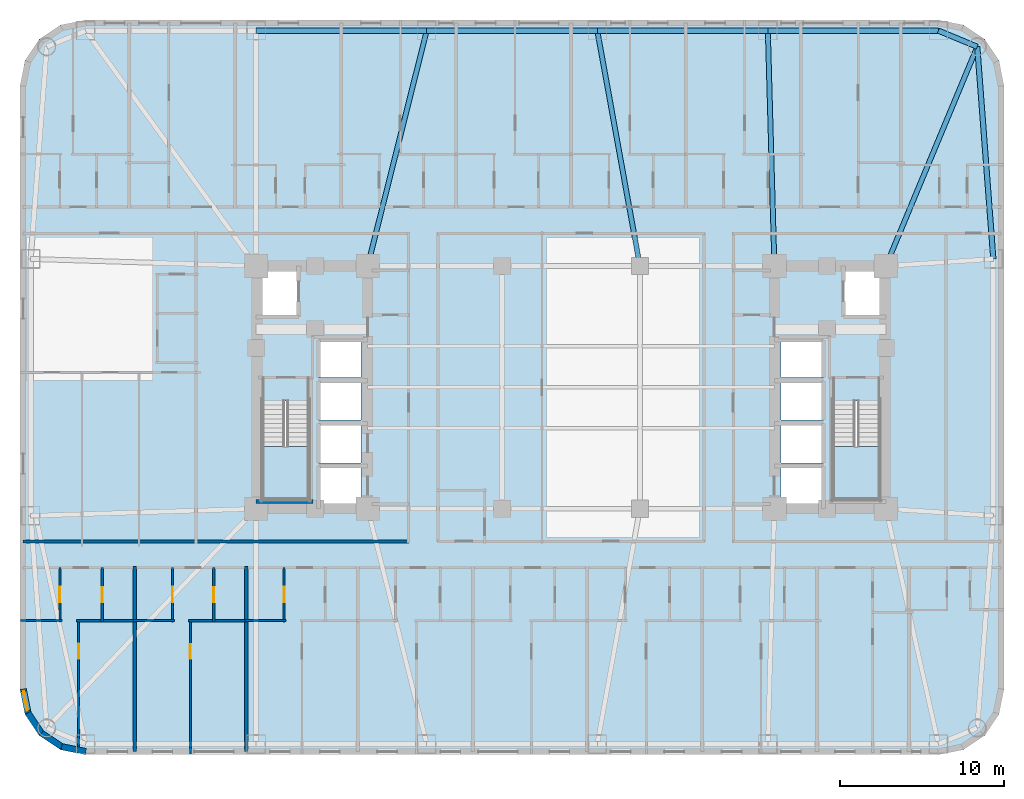
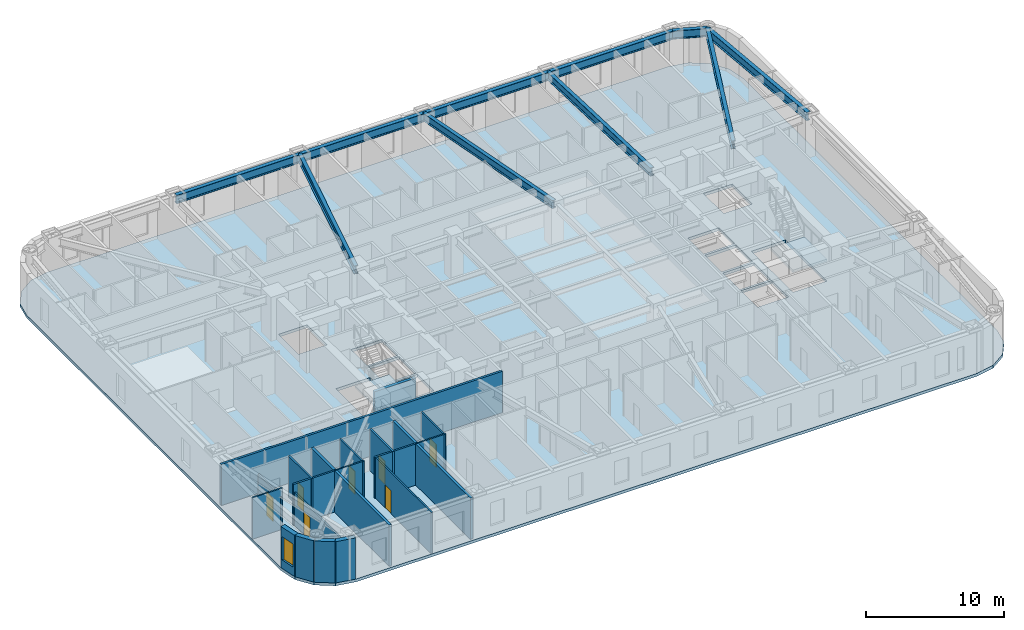
# One storey, part 2 of 12: 20 walls, 10 beams, 7 doors, 3 slabs, 1 window, 8 openings, 2 elements without a shape of their own.
"""IFC4 building model written with IfcOpenShell, lengths in metres."""

from ifc_helpers import new_model, si_unit, direction, frame, frame_2d, origin, origin_2d, place, context, subcontext, project, spatial, polyline, rectangle, i_section, outline, extrude, material, layer, layer_set, material_profile, profile_set, type_object, element, fill, aggregate, save


model = new_model("IFC4")

# Units and contexts
model_context = context("Model", 3, precision=1e-05, world=origin(), true_north=direction((0.0, 1.0)))
body_context = subcontext(model_context, "Body", "Model", "MODEL_VIEW")
ifc_project = project(units=[si_unit("LENGTHUNIT", "METRE"), si_unit("AREAUNIT", "SQUARE_METRE"), si_unit("VOLUMEUNIT", "CUBIC_METRE"), si_unit("PLANEANGLEUNIT", "RADIAN"), si_unit("MASSUNIT", "GRAM", prefix="KILO")], contexts=[model_context])

# Site, building, storey
site_placement = place(None, origin())
site = spatial("IfcSite", under=ifc_project, at=site_placement, CompositionType="ELEMENT")
building_placement = place(site_placement, origin())
building = spatial("IfcBuilding", under=site, at=building_placement, Name="Voryun Gate Residences", CompositionType="ELEMENT")
storey_placement = place(building_placement, frame((0.0, 0.0, 65.0)))
storey = spatial("IfcBuildingStorey", under=building, at=storey_placement, Name="L15", CompositionType="ELEMENT", Elevation=65.0)

# Beams
ifc_material_1 = material(Name="Steel SM355", Category="steel")
ifc_material_profile_1 = material_profile(ifc_material_1, i_section(OverallWidth=0.320068359375, OverallDepth=0.75, WebThickness=0.01611328125, FlangeThickness=0.028076171875, FilletRadius=0.01806640625, at=origin_2d()), Name="H-750x320x16x28")
ifc_profile_set_1 = profile_set([ifc_material_profile_1], Name="Steel SM355")
beam_type_1 = type_object("IfcBeamType", Name="BM_EXO_SPANDREL_L", PredefinedType="SPANDREL", material=ifc_profile_set_1)
beam_1_placement = place(storey_placement, frame((25.75, 7.830078125, 3.27490234375), z_axis=(-0.075617360159, 0.997136908776, 0.0), x_axis=(-0.997136908776, -0.075617360159, 0.0)))
element("IfcBeam", 1, at=beam_1_placement, inside=storey, type_object=beam_type_1, Name="BM-L15-SPAND-09", PredefinedType="SPANDREL", context=body_context, shape_type="SweptSolid", body=[
    extrude(i_section(OverallWidth=0.320068359375, OverallDepth=0.75, WebThickness=0.01611328125, FlangeThickness=0.028076171875, FilletRadius=0.01806640625, at=origin_2d()), origin(), (0.0, 0.0, 1.0), 12.975830078125),
])
beam_2_placement = place(storey_placement, frame((24.768798828125, 20.768798828125, 3.27490234375), z_axis=(-0.923883376753, 0.382674151414, 0.0), x_axis=(-0.382674151414, -0.923883376753, 0.0)))
element("IfcBeam", 2, at=beam_2_placement, inside=storey, type_object=beam_type_1, Name="BM-L15-SPAND-10", PredefinedType="SPANDREL", context=body_context, shape_type="SweptSolid", body=[
    extrude(i_section(OverallWidth=0.320068359375, OverallDepth=0.75, WebThickness=0.01611328125, FlangeThickness=0.028076171875, FilletRadius=0.01806640625, at=origin_2d()), origin(), (0.0, 0.0, 1.0), 2.56396484375),
])
for number, where, z_axis, x_axis, name in (
    (3, (22.39990234375, 21.75, 3.27490234375), (-1.0, 0.0, 0.0), (0.0, -1.0, 0.0), "BM-L15-SPAND-11"),
    (4, (12.0, 21.75, 3.27490234375), (-1.0, 0.0, 0.0), (0.0, -1.0, 0.0), "BM-L15-SPAND-12"),
):
    element("IfcBeam", number, at=place(storey_placement, frame(where, z_axis=z_axis, x_axis=x_axis)), inside=storey, type_object=beam_type_1, Name=name, PredefinedType="SPANDREL", context=body_context, shape_type="SweptSolid", body=[
        extrude(i_section(OverallWidth=0.320068359375, OverallDepth=0.75, WebThickness=0.01611328125, FlangeThickness=0.028076171875, FilletRadius=0.01806640625, at=origin_2d()), origin(), (0.0, 0.0, 1.0), 10.39990234375),
    ])
beam_3_placement = place(storey_placement, frame((1.60009765625, 21.75, 3.27490234375), z_axis=(-1.0, 0.0, 0.0), x_axis=(0.0, -1.0, 0.0)))
element("IfcBeam", 5, at=beam_3_placement, inside=storey, type_object=beam_type_1, Name="BM-L15-SPAND-13", PredefinedType="SPANDREL", context=body_context, shape_type="SweptSolid", body=[
    extrude(i_section(OverallWidth=0.320068359375, OverallDepth=0.75, WebThickness=0.01611328125, FlangeThickness=0.028076171875, FilletRadius=0.01806640625, at=origin_2d()), origin(), (0.0, 0.0, 1.0), 10.400146484375),
])
beam_4_placement = place(storey_placement, frame((-8.800048828125, 21.75, 3.27490234375), z_axis=(-1.0, 0.0, 0.0), x_axis=(0.0, -1.0, 0.0)))
element("IfcBeam", 6, at=beam_4_placement, inside=storey, type_object=beam_type_1, Name="BM-L15-SPAND-14", PredefinedType="SPANDREL", context=body_context, shape_type="SweptSolid", body=[
    extrude(i_section(OverallWidth=0.320068359375, OverallDepth=0.75, WebThickness=0.01611328125, FlangeThickness=0.028076171875, FilletRadius=0.01806640625, at=origin_2d()), origin(), (0.0, 0.0, 1.0), 10.39990234375),
])
ifc_material_2 = material(Name="Steel SM355", Category="steel")
ifc_material_profile_2 = material_profile(ifc_material_2, i_section(OverallWidth=0.300048828125, OverallDepth=0.699951171875, WebThickness=0.012939453125, FlangeThickness=0.02392578125, FilletRadius=0.01806640625, at=origin_2d()), Name="H-700x300x13x24")
ifc_profile_set_2 = profile_set([ifc_material_profile_2], Name="Steel SM355")
beam_type_2 = type_object("IfcBeamType", Name="BM_GIRD_700", PredefinedType="USERDEFINED", material=ifc_profile_set_2)
beam_5_placement = place(storey_placement, frame((19.199951171875, 7.39990234375, 3.300048828125), z_axis=(0.384525607719, 0.923114324993, 0.0), x_axis=(-0.923114324993, 0.384525607719, 0.0)))
element("IfcBeam", 7, at=beam_5_placement, inside=storey, type_object=beam_type_2, Name="BM-L15-RAD-CNE", ObjectType="GIRDER", PredefinedType="USERDEFINED", context=body_context, shape_type="SweptSolid", body=[
    extrude(i_section(OverallWidth=0.300048828125, OverallDepth=0.699951171875, WebThickness=0.012939453125, FlangeThickness=0.02392578125, FilletRadius=0.01806640625, at=origin_2d()), origin(), (0.0, 0.0, 1.0), 14.482421875),
])
beam_6_placement = place(storey_placement, frame((12.39990234375, 7.39990234375, 3.300048828125), z_axis=(-0.0278567548, 0.999611925305, 0.0), x_axis=(-0.999611925305, -0.0278567548, 0.0)))
element("IfcBeam", 8, at=beam_6_placement, inside=storey, type_object=beam_type_2, Name="BM-L15-RAD-N2", ObjectType="GIRDER", PredefinedType="USERDEFINED", context=body_context, shape_type="SweptSolid", body=[
    extrude(i_section(OverallWidth=0.300048828125, OverallDepth=0.699951171875, WebThickness=0.012939453125, FlangeThickness=0.02392578125, FilletRadius=0.01806640625, at=origin_2d()), origin(), (0.0, 0.0, 1.0), 14.355712890625),
])
beam_7_placement = place(storey_placement, frame((4.199951171875, 7.39990234375, 3.300048828125), z_axis=(-0.178271088758, 0.983981411874, 0.0), x_axis=(-0.983981411874, -0.178271088758, 0.0)))
element("IfcBeam", 9, at=beam_7_placement, inside=storey, type_object=beam_type_2, Name="BM-L15-RAD-N3", ObjectType="GIRDER", PredefinedType="USERDEFINED", context=body_context, shape_type="SweptSolid", body=[
    extrude(i_section(OverallWidth=0.300048828125, OverallDepth=0.699951171875, WebThickness=0.012939453125, FlangeThickness=0.02392578125, FilletRadius=0.01806640625, at=origin_2d()), origin(), (0.0, 0.0, 1.0), 14.583740234375),
])
beam_8_placement = place(storey_placement, frame((-12.39990234375, 7.39990234375, 3.300048828125), z_axis=(0.243319869291, 0.969946102218, 0.0), x_axis=(-0.969946102218, 0.243319869291, 0.0)))
element("IfcBeam", 10, at=beam_8_placement, inside=storey, type_object=beam_type_2, Name="BM-L15-RAD-N4", ObjectType="GIRDER", PredefinedType="USERDEFINED", context=body_context, shape_type="SweptSolid", body=[
    extrude(i_section(OverallWidth=0.300048828125, OverallDepth=0.699951171875, WebThickness=0.012939453125, FlangeThickness=0.02392578125, FilletRadius=0.01806640625, at=origin_2d()), origin(), (0.0, 0.0, 1.0), 14.794677734375),
])

# Slab
ifc_material_3 = material(Name="Concrete C40/50", Category="concrete")
ifc_layer_1 = layer(ifc_material_3, 0.25, Name="SLB_RES_250")
ifc_layer_set_1 = layer_set([ifc_layer_1], Name="Concrete C40/50")
slab_type_1 = type_object("IfcSlabType", Name="SLB_RES_250", PredefinedType="FLOOR", material=ifc_layer_set_1)
slab_1_placement = place(storey_placement, frame((0.0, 0.0, -0.25)))
element("IfcSlab", 11, at=slab_1_placement, inside=storey, type_object=slab_type_1, Name="L15 Structural Floor Slab", PredefinedType="FLOOR", context=body_context, shape_type="SweptSolid", body=[
    extrude(outline(polyline([(-29.60009765625, -22.39990234375), (-31.130615234375, -22.095458984375), (-32.428466796875, -21.228515625), (-33.29541015625, -19.9306640625), (-33.60009765625, -18.39990234375), (-33.60009765625, 18.39990234375), (-33.29541015625, 19.9306640625), (-32.428466796875, 21.228515625), (-31.130615234375, 22.095458984375), (-29.60009765625, 22.39990234375), (22.39990234375, 22.39990234375), (23.9306640625, 22.095458984375), (25.228515625, 21.228515625), (26.095458984375, 19.9306640625), (26.39990234375, 18.39990234375), (26.39990234375, -18.39990234375), (26.095458984375, -19.9306640625), (25.228515625, -21.228515625), (23.9306640625, -22.095458984375), (22.39990234375, -22.39990234375), (-29.60009765625, -22.39990234375)]), holes=[polyline([(-12.800048828125, -4.800048828125), (-15.39990234375, -4.800048828125), (-15.39990234375, -7.199951171875), (-12.800048828125, -7.199951171875), (-12.800048828125, -4.800048828125)]), polyline([(-18.824951171875, -6.85009765625), (-15.97509765625, -6.85009765625), (-15.97509765625, -0.840087890625), (-18.824951171875, -0.840087890625), (-18.824951171875, -6.85009765625)]), polyline([(-12.800048828125, -4.60009765625), (-12.800048828125, -2.199951171875), (-15.39990234375, -2.199951171875), (-15.39990234375, -4.60009765625), (-12.800048828125, -4.60009765625)]), polyline([(-12.800048828125, 0.39990234375), (-15.39990234375, 0.39990234375), (-15.39990234375, -2.0), (-12.800048828125, -2.0), (-12.800048828125, 0.39990234375)]), polyline([(-12.800048828125, 0.60009765625), (-12.800048828125, 2.89990234375), (-15.39990234375, 2.89990234375), (-15.39990234375, 0.60009765625), (-12.800048828125, 0.60009765625)]), polyline([(-16.60009765625, 4.300048828125), (-16.60009765625, 7.199951171875), (-19.0, 7.199951171875), (-19.0, 4.300048828125), (-16.60009765625, 4.300048828125)]), polyline([(15.39990234375, -4.800048828125), (12.800048828125, -4.800048828125), (12.800048828125, -7.199951171875), (15.39990234375, -7.199951171875), (15.39990234375, -4.800048828125)]), polyline([(15.97509765625, -6.85009765625), (18.824951171875, -6.85009765625), (18.824951171875, -0.840087890625), (15.97509765625, -0.840087890625), (15.97509765625, -6.85009765625)]), polyline([(15.39990234375, -4.60009765625), (15.39990234375, -2.199951171875), (12.800048828125, -2.199951171875), (12.800048828125, -4.60009765625), (15.39990234375, -4.60009765625)]), polyline([(15.39990234375, 0.39990234375), (12.800048828125, 0.39990234375), (12.800048828125, -2.0), (15.39990234375, -2.0), (15.39990234375, 0.39990234375)]), polyline([(15.39990234375, 0.60009765625), (15.39990234375, 2.89990234375), (12.800048828125, 2.89990234375), (12.800048828125, 0.60009765625), (15.39990234375, 0.60009765625)]), polyline([(19.0, 4.300048828125), (19.0, 7.199951171875), (16.60009765625, 7.199951171875), (16.60009765625, 4.300048828125), (19.0, 4.300048828125)])]), origin(), (0.0, 0.0, 1.0), 0.25),
])

# Stair, slab
ifc_material_4 = material(Name="Concrete C40/50", Category="concrete")
stair_type = type_object("IfcStairType", Name="STR_CORE_DOGLEG_1350", PredefinedType="HALF_TURN_STAIR", material=ifc_material_4)
stair_1_placement = place(storey_placement, origin())
stair_1 = element("IfcStair", 12, at=stair_1_placement, inside=storey, type_object=stair_type, Name="L15 Special Escape Stair ST-W1", PredefinedType="HALF_TURN_STAIR")
ifc_material_5 = material(Name="Concrete C40/50", Category="concrete")
ifc_layer_2 = layer(ifc_material_5, 0.199951171875, Name="SLB_STAIR_LANDING_200")
ifc_layer_set_2 = layer_set([ifc_layer_2], Name="Concrete C40/50")
slab_type_2 = type_object("IfcSlabType", Name="SLB_STAIR_LANDING_200", PredefinedType="LANDING", material=ifc_layer_set_2)
slab_2_placement = place(storey_placement, frame((0.0, 0.0, 1.75)))
slab_2 = element("IfcSlab", 13, at=slab_2_placement, type_object=slab_type_2, Name="ST-W1 landing 1", PredefinedType="LANDING", context=body_context, shape_type="SweptSolid", body=[
    extrude(outline(polyline([(-18.824951171875, -3.60009765625), (-18.824951171875, -6.85009765625), (-15.97509765625, -6.85009765625), (-15.97509765625, -3.60009765625), (-18.824951171875, -3.60009765625)])), origin(), (0.0, 0.0, 1.0), 0.199951171875),
])
aggregate(stair_1, [slab_2])

stair_2_placement = place(storey_placement, origin())
stair_2 = element("IfcStair", 14, at=stair_2_placement, inside=storey, type_object=stair_type, Name="L15 Special Escape Stair ST-E1", PredefinedType="HALF_TURN_STAIR")
slab_3_placement = place(storey_placement, frame((0.0, 0.0, 1.75)))
slab_3 = element("IfcSlab", 15, at=slab_3_placement, type_object=slab_type_2, Name="ST-E1 landing 1", PredefinedType="LANDING", context=body_context, shape_type="SweptSolid", body=[
    extrude(outline(polyline([(15.97509765625, -3.60009765625), (15.97509765625, -6.85009765625), (18.824951171875, -6.85009765625), (18.824951171875, -3.60009765625), (15.97509765625, -3.60009765625)])), origin(), (0.0, 0.0, 1.0), 0.199951171875),
])
aggregate(stair_2, [slab_3])

# Walls
ifc_material_6 = material(Name="Gypsum acoustic fireboard")
ifc_layer_3 = layer(ifc_material_6, 0.179931640625, Name="W_CORR_RATED_180")
ifc_layer_set_3 = layer_set([ifc_layer_3], Name="Gypsum acoustic fireboard")
wall_type_1 = type_object("IfcWallType", Name="W_CORR_RATED_180", PredefinedType="PARTITIONING", material=ifc_layer_set_3)
wall_1_placement = place(storey_placement, frame((-33.409912109375, -9.389892578125, 0.0), z_axis=(0.0, 0.0, 1.0), x_axis=(1.0, 0.0, 0.0)))
element("IfcWall", 16, at=wall_1_placement, inside=storey, type_object=wall_type_1, Name="Partition wall WP-L15-CWING-WS", PredefinedType="PARTITIONING", context=body_context, shape_type="SweptSolid", body=[
    extrude(rectangle(XDim=23.530029296875, YDim=0.179931640625, at=frame_2d((11.76513671875, 0.0))), origin(), (0.0, 0.0, 1.0), 3.64990234375),
])
ifc_material_7 = material(Name="Granite masonry", Category="masonry")
ifc_layer_4 = layer(ifc_material_7, 0.3798828125, Name="W_EXT_GRANITE_380")
ifc_layer_set_4 = layer_set([ifc_layer_4], Name="Granite masonry")
wall_type_2 = type_object("IfcWallType", Name="W_EXT_GRANITE_380", PredefinedType="ELEMENTEDWALL", material=ifc_layer_set_4)
wall_2_placement = place(storey_placement, frame((-29.581298828125, -22.2099609375, 0.0), z_axis=(0.0, 0.0, 1.0), x_axis=(-0.980786132421, 0.195086038585, 0.0)))
element("IfcWall", 17, at=wall_2_placement, inside=storey, type_object=wall_type_2, Name="Exterior wall WEXT-L15-02", PredefinedType="ELEMENTEDWALL", context=body_context, shape_type="SweptSolid", body=[
    extrude(rectangle(XDim=1.504150390625, YDim=0.3798828125, at=frame_2d((0.751953125, 0.0))), origin(), (0.0, 0.0, 1.0), 3.64990234375),
])
wall_3_placement = place(storey_placement, frame((-31.056640625, -21.91650390625, 0.0), z_axis=(0.0, 0.0, 1.0), x_axis=(-0.831442848281, 0.555610286119, 0.0)))
element("IfcWall", 18, at=wall_3_placement, inside=storey, type_object=wall_type_2, Name="Exterior wall WEXT-L15-03", PredefinedType="ELEMENTEDWALL", context=body_context, shape_type="SweptSolid", body=[
    extrude(rectangle(XDim=1.485107421875, YDim=0.3798828125, at=frame_2d((0.74267578125, 0.0))), origin(), (0.0, 0.0, 1.0), 3.64990234375),
])
wall_4_placement = place(storey_placement, frame((-32.29150390625, -21.09130859375, 0.0), z_axis=(0.0, 0.0, 1.0), x_axis=(-0.555572577804, 0.831468045563, 0.0)))
element("IfcWall", 19, at=wall_4_placement, inside=storey, type_object=wall_type_2, Name="Exterior wall WEXT-L15-04", PredefinedType="ELEMENTEDWALL", context=body_context, shape_type="SweptSolid", body=[
    extrude(rectangle(XDim=1.48486328125, YDim=0.3798828125, at=frame_2d((0.742431640625, 0.0))), origin(), (0.0, 0.0, 1.0), 3.64990234375),
])

# Wall, opening, window
wall_5_placement = place(storey_placement, frame((-33.116455078125, -19.856689453125, 0.0), z_axis=(0.0, 0.0, 1.0), x_axis=(-0.195086038585, 0.980786132421, 0.0)))
wall_5 = element("IfcWall", 20, at=wall_5_placement, inside=storey, type_object=wall_type_2, Name="Exterior wall WEXT-L15-05", PredefinedType="ELEMENTEDWALL", context=body_context, shape_type="SweptSolid", body=[
    extrude(rectangle(XDim=1.504150390625, YDim=0.3798828125, at=frame_2d((0.751953125, 0.0))), origin(), (0.0, 0.0, 1.0), 3.64990234375),
])
opening_1_placement = place(wall_5_placement, frame((0.152099609375, 0.0, 0.75)))
opening_1 = element("IfcOpeningElement", 21, at=opening_1_placement, cuts=wall_5, Name="Opening WN6", PredefinedType="OPENING", context=body_context, shape_type="SweptSolid", body=[
    extrude(rectangle(XDim=1.199951171875, YDim=2.050048828125, at=frame_2d((0.60009765625, 1.02490234375))), frame((0.0, 0.199951171875, 0.0), z_axis=(0.0, -1.0, 0.0), x_axis=(1.0, 0.0, 0.0)), (0.0, 0.0, 1.0), 0.39990234375),
])
ifc_material_8 = material(Name="Laminated low-E glass", Category="glass")
window_type = type_object("IfcWindowType", Name="WN_POD_SLOT_1200", PartitioningType="SINGLE_PANEL", PredefinedType="WINDOW", material=ifc_material_8)
window_placement = place(opening_1_placement, origin())
window = element("IfcWindow", 22, at=window_placement, inside=storey, type_object=window_type, Name="Window WN-L15-DWFIX-14", OverallHeight=2.050048828125, OverallWidth=1.199951171875, PartitioningType="SINGLE_PANEL", PredefinedType="WINDOW", context=body_context, shape_type="SweptSolid", body=[
    extrude(rectangle(XDim=1.199951171875, YDim=2.050048828125, at=frame_2d((0.60009765625, 1.02490234375))), frame((0.0, 0.030029296875, 0.0), z_axis=(0.0, -1.0, 0.0), x_axis=(1.0, 0.0, 0.0)), (0.0, 0.0, 1.0), 0.06005859375),
])
fill(opening_1, window)

# Walls
ifc_material_9 = material(Name="Concrete C40/50", Category="concrete")
ifc_layer_5 = layer(ifc_material_9, 0.219970703125, Name="W_PARTY_ACOUSTIC_220")
ifc_layer_set_5 = layer_set([ifc_layer_5], Name="Concrete C40/50")
wall_type_3 = type_object("IfcWallType", Name="W_PARTY_ACOUSTIC_220", PredefinedType="PARTITIONING", material=ifc_layer_set_5)
for number, where, z_axis, x_axis, name in (
    (23, (-26.612060546875, -22.2099609375, 0.0), (0.0, 0.0, 1.0), (0.0, 1.0, 0.0), "Partition wall WP-L15-SPTY-1"),
    (24, (-19.805908203125, -22.2099609375, 0.0), (0.0, 0.0, 1.0), (0.0, 1.0, 0.0), "Partition wall WP-L15-SPTY-2"),
):
    element("IfcWall", number, at=place(storey_placement, frame(where, z_axis=z_axis, x_axis=x_axis)), inside=storey, type_object=wall_type_3, Name=name, PredefinedType="PARTITIONING", context=body_context, shape_type="SweptSolid", body=[
        extrude(rectangle(XDim=11.2900390625, YDim=0.219970703125, at=frame_2d((5.64501953125, 0.0))), origin(), (0.0, 0.0, 1.0), 3.64990234375),
    ])
ifc_material_10 = material(Name="Concrete C50/60", Category="concrete")
ifc_layer_6 = layer(ifc_material_10, 0.25, Name="W_SHAFT_RC250")
ifc_layer_set_6 = layer_set([ifc_layer_6], Name="Concrete C50/60")
wall_type_4 = type_object("IfcWallType", Name="W_SHAFT_RC250", PredefinedType="SOLIDWALL", material=ifc_layer_set_6)
wall_6_placement = place(storey_placement, frame((-19.199951171875, -6.965087890625, 0.0), z_axis=(0.0, 0.0, 1.0), x_axis=(1.0, 0.0, 0.0)))
element("IfcWall", 25, at=wall_6_placement, inside=storey, type_object=wall_type_4, Name="L15 Stair shaft structural wall W-STS", PredefinedType="SOLIDWALL", context=body_context, shape_type="SweptSolid", body=[
    extrude(rectangle(XDim=3.4599609375, YDim=0.25, at=frame_2d((1.72998046875, 0.0))), origin(), (0.0, 0.0, 1.0), 3.64990234375),
])

# Wall, opening, door
ifc_material_11 = material(Name="Gypsum acoustic partition")
ifc_layer_7 = layer(ifc_material_11, 0.125, Name="W_UNIT_PART_125")
ifc_layer_set_7 = layer_set([ifc_layer_7], Name="Gypsum acoustic partition")
wall_type_5 = type_object("IfcWallType", Name="W_UNIT_PART_125", PredefinedType="PARTITIONING", material=ifc_layer_set_7)
wall_7_placement = place(storey_placement, frame((-30.02197265625, -22.275390625, 0.0), z_axis=(0.0, 0.0, 1.0), x_axis=(0.0, 1.0, 0.0)))
wall_7 = element("IfcWall", 26, at=wall_7_placement, inside=storey, type_object=wall_type_5, Name="Partition wall WP-L15-S1-OVR", PredefinedType="PARTITIONING", context=body_context, shape_type="SweptSolid", body=[
    extrude(rectangle(XDim=8.135498046875, YDim=0.125, at=frame_2d((4.06787109375, 0.0))), origin(), (0.0, 0.0, 1.0), 2.93994140625),
])
opening_2_placement = place(wall_7_placement, frame((5.73291015625, 0.0, 0.0)))
opening_2 = element("IfcOpeningElement", 27, at=opening_2_placement, cuts=wall_7, Name="Opening D-INT-2", PredefinedType="OPENING", context=body_context, shape_type="SweptSolid", body=[
    extrude(rectangle(XDim=0.89990234375, YDim=2.050048828125, at=frame_2d((0.449951171875, 1.02490234375))), frame((0.0, 0.072509765625, 0.0), z_axis=(0.0, -1.0, 0.0), x_axis=(1.0, 0.0, 0.0)), (0.0, 0.0, 1.0), 0.14501953125),
])
ifc_material_12 = material(Name="Architectural oak veneer")
door_type_1 = type_object("IfcDoorType", Name="DR_INT_BATH_900", OperationType="NOTDEFINED", PredefinedType="DOOR", material=ifc_material_12)
door_1_placement = place(opening_2_placement, origin())
door_1 = element("IfcDoor", 28, at=door_1_placement, inside=storey, type_object=door_type_1, Name="Door DR-L15-S1-DMB", OperationType="SINGLE_SWING_RIGHT", OverallHeight=2.050048828125, OverallWidth=0.89990234375, PredefinedType="DOOR", context=body_context, shape_type="SweptSolid", body=[
    extrude(rectangle(XDim=0.89990234375, YDim=2.050048828125, at=frame_2d((0.449951171875, 1.02490234375))), frame((0.0, 0.02490234375, 0.0), z_axis=(0.0, -1.0, 0.0), x_axis=(1.0, 0.0, 0.0)), (0.0, 0.0, 1.0), 0.050048828125),
])
fill(opening_2, door_1)

wall_8_placement = place(storey_placement, frame((-31.16796875, -14.300048828125, 0.0), z_axis=(0.0, 0.0, 1.0), x_axis=(0.0, 1.0, 0.0)))
wall_8 = element("IfcWall", 29, at=wall_8_placement, inside=storey, type_object=wall_type_5, Name="Partition wall WP-L15-S1-IVK", PredefinedType="PARTITIONING", context=body_context, shape_type="SweptSolid", body=[
    extrude(rectangle(XDim=3.320068359375, YDim=0.125, at=frame_2d((1.66015625, 0.0))), origin(), (0.0, 0.0, 1.0), 2.93994140625),
])
opening_3_placement = place(wall_8_placement, frame((1.18505859375, 0.0, 0.0)))
opening_3 = element("IfcOpeningElement", 30, at=opening_3_placement, cuts=wall_8, Name="Opening D-INT-1", PredefinedType="OPENING", context=body_context, shape_type="SweptSolid", body=[
    extrude(rectangle(XDim=0.949951171875, YDim=2.050048828125, at=frame_2d((0.47509765625, 1.02490234375))), frame((0.0, 0.072509765625, 0.0), z_axis=(0.0, -1.0, 0.0), x_axis=(1.0, 0.0, 0.0)), (0.0, 0.0, 1.0), 0.14501953125),
])
ifc_material_13 = material(Name="Architectural oak veneer")
door_type_2 = type_object("IfcDoorType", Name="DR_INT_ROOM_950", OperationType="NOTDEFINED", PredefinedType="DOOR", material=ifc_material_13)
door_2_placement = place(opening_3_placement, origin())
door_2 = element("IfcDoor", 31, at=door_2_placement, inside=storey, type_object=door_type_2, Name="Door DR-L15-S1-DK", OperationType="SINGLE_SWING_LEFT", OverallHeight=2.050048828125, OverallWidth=0.949951171875, PredefinedType="DOOR", context=body_context, shape_type="SweptSolid", body=[
    extrude(rectangle(XDim=0.949951171875, YDim=2.050048828125, at=frame_2d((0.47509765625, 1.02490234375))), frame((0.0, 0.02490234375, 0.0), z_axis=(0.0, -1.0, 0.0), x_axis=(1.0, 0.0, 0.0)), (0.0, 0.0, 1.0), 0.050048828125),
])
fill(opening_3, door_2)

# Wall
wall_9_placement = place(storey_placement, frame((-33.56005859375, -14.219970703125, 0.0), z_axis=(0.0, 0.0, 1.0), x_axis=(1.0, 0.0, 0.0)))
element("IfcWall", 32, at=wall_9_placement, inside=storey, type_object=wall_type_5, Name="Partition wall WP-L15-S1-HZK", PredefinedType="PARTITIONING", context=body_context, shape_type="SweptSolid", body=[
    extrude(rectangle(XDim=2.511962890625, YDim=0.125, at=frame_2d((1.255859375, 0.0))), origin(), (0.0, 0.0, 1.0), 3.64990234375),
])

# Wall, opening, door
wall_10_placement = place(storey_placement, frame((-23.216064453125, -22.360107421875, 0.0), z_axis=(0.0, 0.0, 1.0), x_axis=(0.0, 1.0, 0.0)))
wall_10 = element("IfcWall", 33, at=wall_10_placement, inside=storey, type_object=wall_type_5, Name="Partition wall WP-L15-S2-OVR", PredefinedType="PARTITIONING", context=body_context, shape_type="SweptSolid", body=[
    extrude(rectangle(XDim=8.22021484375, YDim=0.125, at=frame_2d((4.110107421875, 0.0))), origin(), (0.0, 0.0, 1.0), 3.64990234375),
])
opening_4_placement = place(wall_10_placement, frame((5.797119140625, 0.0, 0.0)))
opening_4 = element("IfcOpeningElement", 34, at=opening_4_placement, cuts=wall_10, Name="Opening D-INT-2", PredefinedType="OPENING", context=body_context, shape_type="SweptSolid", body=[
    extrude(rectangle(XDim=0.89990234375, YDim=2.050048828125, at=frame_2d((0.449951171875, 1.02490234375))), frame((0.0, 0.072509765625, 0.0), z_axis=(0.0, -1.0, 0.0), x_axis=(1.0, 0.0, 0.0)), (0.0, 0.0, 1.0), 0.14501953125),
])
door_3_placement = place(opening_4_placement, origin())
door_3 = element("IfcDoor", 35, at=door_3_placement, inside=storey, type_object=door_type_1, Name="Door DR-L15-S2-DMB", OperationType="SINGLE_SWING_RIGHT", OverallHeight=2.050048828125, OverallWidth=0.89990234375, PredefinedType="DOOR", context=body_context, shape_type="SweptSolid", body=[
    extrude(rectangle(XDim=0.89990234375, YDim=2.050048828125, at=frame_2d((0.449951171875, 1.02490234375))), frame((0.0, 0.02490234375, 0.0), z_axis=(0.0, -1.0, 0.0), x_axis=(1.0, 0.0, 0.0)), (0.0, 0.0, 1.0), 0.050048828125),
])
fill(opening_4, door_3)

wall_11_placement = place(storey_placement, frame((-24.302001953125, -14.300048828125, 0.0), z_axis=(0.0, 0.0, 1.0), x_axis=(0.0, 1.0, 0.0)))
wall_11 = element("IfcWall", 36, at=wall_11_placement, inside=storey, type_object=wall_type_5, Name="Partition wall WP-L15-S2-IVK", PredefinedType="PARTITIONING", context=body_context, shape_type="SweptSolid", body=[
    extrude(rectangle(XDim=3.320068359375, YDim=0.125, at=frame_2d((1.66015625, 0.0))), origin(), (0.0, 0.0, 1.0), 3.64990234375),
])
opening_5_placement = place(wall_11_placement, frame((1.18505859375, 0.0, 0.0)))
opening_5 = element("IfcOpeningElement", 37, at=opening_5_placement, cuts=wall_11, Name="Opening D-INT-1", PredefinedType="OPENING", context=body_context, shape_type="SweptSolid", body=[
    extrude(rectangle(XDim=0.949951171875, YDim=2.050048828125, at=frame_2d((0.47509765625, 1.02490234375))), frame((0.0, 0.072509765625, 0.0), z_axis=(0.0, -1.0, 0.0), x_axis=(1.0, 0.0, 0.0)), (0.0, 0.0, 1.0), 0.14501953125),
])
door_4_placement = place(opening_5_placement, origin())
door_4 = element("IfcDoor", 38, at=door_4_placement, inside=storey, type_object=door_type_2, Name="Door DR-L15-S2-DK", OperationType="SINGLE_SWING_LEFT", OverallHeight=2.050048828125, OverallWidth=0.949951171875, PredefinedType="DOOR", context=body_context, shape_type="SweptSolid", body=[
    extrude(rectangle(XDim=0.949951171875, YDim=2.050048828125, at=frame_2d((0.47509765625, 1.02490234375))), frame((0.0, 0.02490234375, 0.0), z_axis=(0.0, -1.0, 0.0), x_axis=(1.0, 0.0, 0.0)), (0.0, 0.0, 1.0), 0.050048828125),
])
fill(opening_5, door_4)

# Wall
wall_12_placement = place(storey_placement, frame((-26.68701171875, -14.219970703125, 0.0), z_axis=(0.0, 0.0, 1.0), x_axis=(1.0, 0.0, 0.0)))
element("IfcWall", 39, at=wall_12_placement, inside=storey, type_object=wall_type_5, Name="Partition wall WP-L15-S2-HZK", PredefinedType="PARTITIONING", context=body_context, shape_type="SweptSolid", body=[
    extrude(rectangle(XDim=2.505126953125, YDim=0.125, at=frame_2d((1.25244140625, 0.0))), origin(), (0.0, 0.0, 1.0), 3.64990234375),
])

# Wall, opening, door
wall_13_placement = place(storey_placement, frame((-17.49609375, -14.300048828125, 0.0), z_axis=(0.0, 0.0, 1.0), x_axis=(0.0, 1.0, 0.0)))
wall_13 = element("IfcWall", 40, at=wall_13_placement, inside=storey, type_object=wall_type_5, Name="Partition wall WP-L15-S3-IVK", PredefinedType="PARTITIONING", context=body_context, shape_type="SweptSolid", body=[
    extrude(rectangle(XDim=3.320068359375, YDim=0.125, at=frame_2d((1.66015625, 0.0))), origin(), (0.0, 0.0, 1.0), 3.64990234375),
])
opening_6_placement = place(wall_13_placement, frame((1.18505859375, 0.0, 0.0)))
opening_6 = element("IfcOpeningElement", 41, at=opening_6_placement, cuts=wall_13, Name="Opening D-INT-1", PredefinedType="OPENING", context=body_context, shape_type="SweptSolid", body=[
    extrude(rectangle(XDim=0.949951171875, YDim=2.050048828125, at=frame_2d((0.47509765625, 1.02490234375))), frame((0.0, 0.072509765625, 0.0), z_axis=(0.0, -1.0, 0.0), x_axis=(1.0, 0.0, 0.0)), (0.0, 0.0, 1.0), 0.14501953125),
])
door_5_placement = place(opening_6_placement, origin())
door_5 = element("IfcDoor", 42, at=door_5_placement, inside=storey, type_object=door_type_2, Name="Door DR-L15-S3-DK", OperationType="SINGLE_SWING_LEFT", OverallHeight=2.050048828125, OverallWidth=0.949951171875, PredefinedType="DOOR", context=body_context, shape_type="SweptSolid", body=[
    extrude(rectangle(XDim=0.949951171875, YDim=2.050048828125, at=frame_2d((0.47509765625, 1.02490234375))), frame((0.0, 0.02490234375, 0.0), z_axis=(0.0, -1.0, 0.0), x_axis=(1.0, 0.0, 0.0)), (0.0, 0.0, 1.0), 0.050048828125),
])
fill(opening_6, door_5)

# Walls
wall_14_placement = place(storey_placement, frame((-19.881103515625, -14.219970703125, 0.0), z_axis=(0.0, 0.0, 1.0), x_axis=(1.0, 0.0, 0.0)))
element("IfcWall", 43, at=wall_14_placement, inside=storey, type_object=wall_type_5, Name="Partition wall WP-L15-S3-HZK", PredefinedType="PARTITIONING", context=body_context, shape_type="SweptSolid", body=[
    extrude(rectangle(XDim=2.505126953125, YDim=0.125, at=frame_2d((1.25244140625, 0.0))), origin(), (0.0, 0.0, 1.0), 3.64990234375),
])
ifc_material_14 = material(Name="Gypsum moisture-resistant partition")
ifc_layer_8 = layer(ifc_material_14, 0.14990234375, Name="W_WET_PLUMB_150")
ifc_layer_set_8 = layer_set([ifc_layer_8], Name="Gypsum moisture-resistant partition")
wall_type_6 = type_object("IfcWallType", Name="W_WET_PLUMB_150", PredefinedType="PLUMBINGWALL", material=ifc_layer_set_8)
wall_15_placement = place(storey_placement, frame((-30.14208984375, -14.219970703125, 0.0), z_axis=(0.0, 0.0, 1.0), x_axis=(1.0, 0.0, 0.0)))
element("IfcWall", 44, at=wall_15_placement, inside=storey, type_object=wall_type_6, Name="Partition wall WP-L15-S1-HZB", PredefinedType="PLUMBINGWALL", context=body_context, shape_type="SweptSolid", body=[
    extrude(rectangle(XDim=3.60498046875, YDim=0.14990234375, at=frame_2d((1.802490234375, 0.0))), origin(), (0.0, 0.0, 1.0), 3.64990234375),
])

# Wall, opening, door
wall_16_placement = place(storey_placement, frame((-28.592041015625, -14.300048828125, 0.0), z_axis=(0.0, 0.0, 1.0), x_axis=(0.0, 1.0, 0.0)))
wall_16 = element("IfcWall", 45, at=wall_16_placement, inside=storey, type_object=wall_type_6, Name="Partition wall WP-L15-S1-IVB", PredefinedType="PLUMBINGWALL", context=body_context, shape_type="SweptSolid", body=[
    extrude(rectangle(XDim=3.320068359375, YDim=0.14990234375, at=frame_2d((1.66015625, 0.0))), origin(), (0.0, 0.0, 1.0), 3.64990234375),
])
opening_7_placement = place(wall_16_placement, frame((1.2099609375, 0.0, 0.0)))
opening_7 = element("IfcOpeningElement", 46, at=opening_7_placement, cuts=wall_16, Name="Opening D-INT-2", PredefinedType="OPENING", context=body_context, shape_type="SweptSolid", body=[
    extrude(rectangle(XDim=0.89990234375, YDim=2.050048828125, at=frame_2d((0.449951171875, 1.02490234375))), frame((0.0, 0.0849609375, 0.0), z_axis=(0.0, -1.0, 0.0), x_axis=(1.0, 0.0, 0.0)), (0.0, 0.0, 1.0), 0.169921875),
])
door_6_placement = place(opening_7_placement, origin())
door_6 = element("IfcDoor", 47, at=door_6_placement, inside=storey, type_object=door_type_1, Name="Door DR-L15-S1-DB", OperationType="SINGLE_SWING_RIGHT", OverallHeight=2.050048828125, OverallWidth=0.89990234375, PredefinedType="DOOR", context=body_context, shape_type="SweptSolid", body=[
    extrude(rectangle(XDim=0.89990234375, YDim=2.050048828125, at=frame_2d((0.449951171875, 1.02490234375))), frame((0.0, 0.02490234375, 0.0), z_axis=(0.0, -1.0, 0.0), x_axis=(1.0, 0.0, 0.0)), (0.0, 0.0, 1.0), 0.050048828125),
])
fill(opening_7, door_6)

# Wall
wall_17_placement = place(storey_placement, frame((-23.3359375, -14.219970703125, 0.0), z_axis=(0.0, 0.0, 1.0), x_axis=(1.0, 0.0, 0.0)))
element("IfcWall", 48, at=wall_17_placement, inside=storey, type_object=wall_type_6, Name="Partition wall WP-L15-S2-HZB", PredefinedType="PLUMBINGWALL", context=body_context, shape_type="SweptSolid", body=[
    extrude(rectangle(XDim=3.60498046875, YDim=0.14990234375, at=frame_2d((1.802490234375, 0.0))), origin(), (0.0, 0.0, 1.0), 3.64990234375),
])

# Wall, opening, door
wall_18_placement = place(storey_placement, frame((-21.785888671875, -14.300048828125, 0.0), z_axis=(0.0, 0.0, 1.0), x_axis=(0.0, 1.0, 0.0)))
wall_18 = element("IfcWall", 49, at=wall_18_placement, inside=storey, type_object=wall_type_6, Name="Partition wall WP-L15-S2-IVB", PredefinedType="PLUMBINGWALL", context=body_context, shape_type="SweptSolid", body=[
    extrude(rectangle(XDim=3.320068359375, YDim=0.14990234375, at=frame_2d((1.66015625, 0.0))), origin(), (0.0, 0.0, 1.0), 3.64990234375),
])
opening_8_placement = place(wall_18_placement, frame((1.2099609375, 0.0, 0.0)))
opening_8 = element("IfcOpeningElement", 50, at=opening_8_placement, cuts=wall_18, Name="Opening D-INT-2", PredefinedType="OPENING", context=body_context, shape_type="SweptSolid", body=[
    extrude(rectangle(XDim=0.89990234375, YDim=2.050048828125, at=frame_2d((0.449951171875, 1.02490234375))), frame((0.0, 0.0849609375, 0.0), z_axis=(0.0, -1.0, 0.0), x_axis=(1.0, 0.0, 0.0)), (0.0, 0.0, 1.0), 0.169921875),
])
door_7_placement = place(opening_8_placement, origin())
door_7 = element("IfcDoor", 51, at=door_7_placement, inside=storey, type_object=door_type_1, Name="Door DR-L15-S2-DB", OperationType="SINGLE_SWING_RIGHT", OverallHeight=2.050048828125, OverallWidth=0.89990234375, PredefinedType="DOOR", context=body_context, shape_type="SweptSolid", body=[
    extrude(rectangle(XDim=0.89990234375, YDim=2.050048828125, at=frame_2d((0.449951171875, 1.02490234375))), frame((0.0, 0.02490234375, 0.0), z_axis=(0.0, -1.0, 0.0), x_axis=(1.0, 0.0, 0.0)), (0.0, 0.0, 1.0), 0.050048828125),
])
fill(opening_8, door_7)

save(model, "model.ifc")
